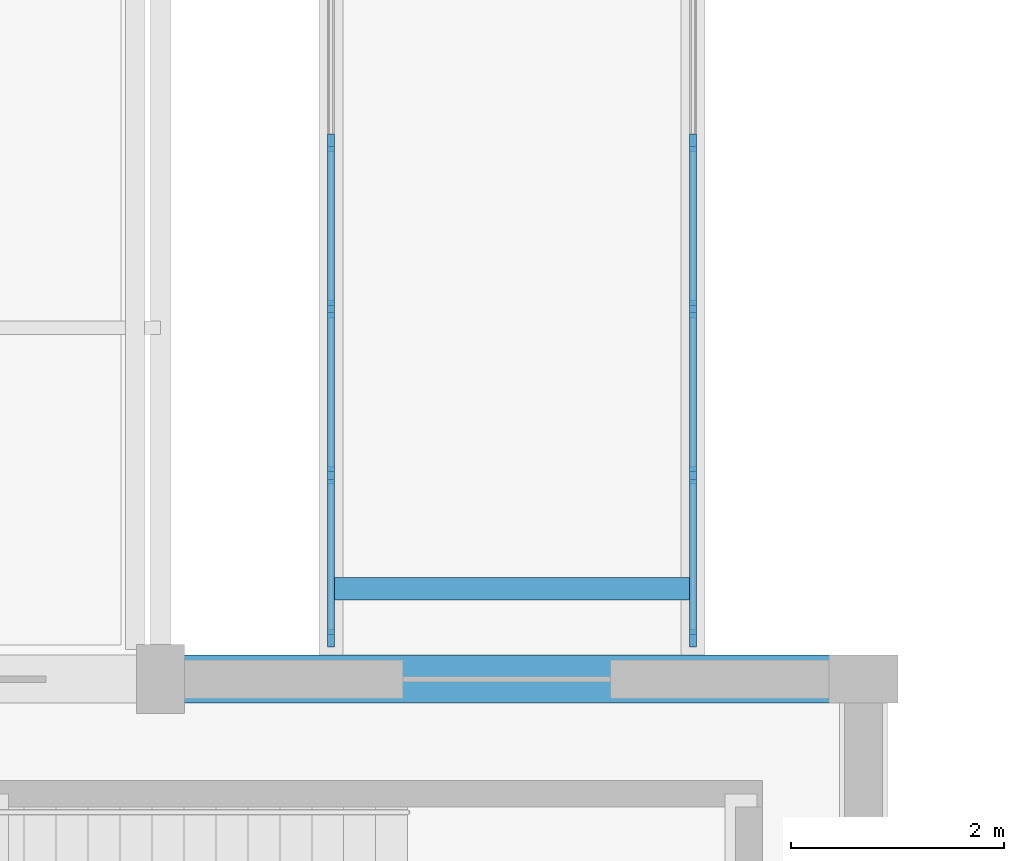
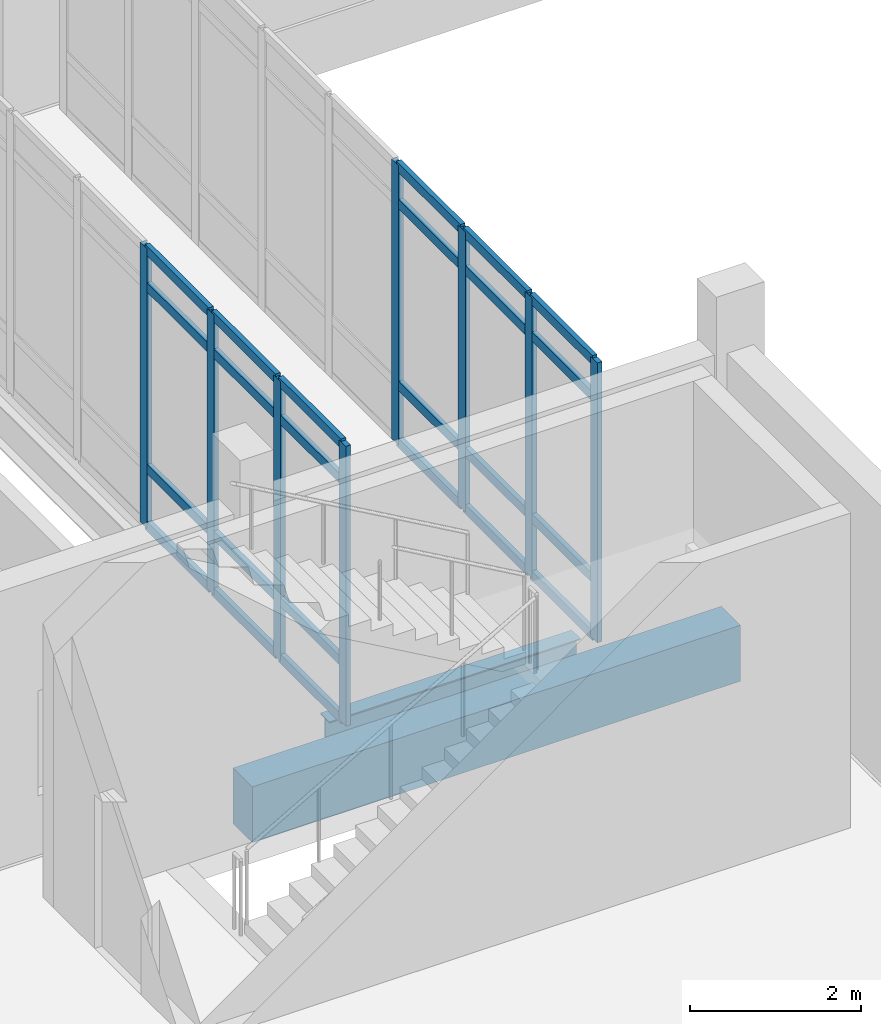
# One storey, part 16 of 125: 32 members, 2 beams, 2 elements without a shape of their own.
"""IFC4 building model written with IfcOpenShell, lengths in metres."""

from ifc_helpers import new_model, si_unit, direction, frame, origin, origin_2d, place, context, subcontext, project, spatial, rectangle, i_section, extrude, material, material_profile, profile_set, type_object, element, aggregate, save


model = new_model("IFC4")

# Units and contexts
model_context = context("Model", 3, precision=1e-05, world=origin(), true_north=direction((0.0, 1.0)))
body_context = subcontext(model_context, "Body", "Model", "MODEL_VIEW")
ifc_project = project(units=[si_unit("LENGTHUNIT", "METRE"), si_unit("AREAUNIT", "SQUARE_METRE"), si_unit("VOLUMEUNIT", "CUBIC_METRE"), si_unit("PLANEANGLEUNIT", "RADIAN"), si_unit("MASSUNIT", "GRAM", prefix="KILO")], contexts=[model_context])

# Site, building, storey
site_placement = place(None, origin())
site = spatial("IfcSite", under=ifc_project, at=site_placement, CompositionType="ELEMENT")
building_placement = place(site_placement, origin())
building = spatial("IfcBuilding", under=site, at=building_placement, Name="Dornvale Research Institute", CompositionType="ELEMENT")
storey_placement = place(building_placement, frame((0.0, 0.0, 5.39990234375)))
storey = spatial("IfcBuildingStorey", under=building, at=storey_placement, Name="L01", CompositionType="ELEMENT", Elevation=5.39990234375)

# Beam
ifc_material_1 = material(Name="Steel ASTM A992 Grade 50", Category="steel")
ifc_material_profile_1 = material_profile(ifc_material_1, i_section(OverallWidth=0.2099609375, OverallDepth=0.535888671875, WebThickness=0.010986328125, FlangeThickness=0.017333984375, at=origin_2d()), Name="W21X68")
ifc_profile_set_1 = profile_set([ifc_material_profile_1], Name="Steel ASTM A992 Grade 50")
beam_type_1 = type_object("IfcBeamType", Name="Beam_Steel_W21X68", PredefinedType="BEAM", material=ifc_profile_set_1)
beam_1_placement = place(storey_placement, frame((41.199951171875, 27.25, -0.48779296875), z_axis=(1.0, 0.0, 0.0), x_axis=(0.0, 1.0, 0.0)))
element("IfcBeam", 1, at=beam_1_placement, inside=storey, type_object=beam_type_1, Name="L01 BR-1 south cross beam #2009", PredefinedType="BEAM", context=body_context, shape_type="SweptSolid", body=[
    extrude(i_section(OverallWidth=0.2099609375, OverallDepth=0.535888671875, WebThickness=0.010986328125, FlangeThickness=0.017333984375, at=origin_2d()), origin(), (0.0, 0.0, 1.0), 3.400146484375),
])

# Curtain wall, members
ifc_material_2 = material(Name="Low-E Argon Double Insulating Glazing Unit", Category="glass")
curtain_wall_type = type_object("IfcCurtainWallType", Name="UnitisedCurtainWall_V2_12500x4000", PredefinedType="USERDEFINED", material=ifc_material_2)
curtain_wall_1_placement = place(storey_placement, origin())
curtain_wall_1 = element("IfcCurtainWall", 2, at=curtain_wall_1_placement, inside=storey, type_object=curtain_wall_type, Name="L01 V2 unitised curtain wall CW-39 #203", ObjectType="UNITISED CURTAIN WALL", PredefinedType="USERDEFINED")
ifc_material_3 = material(Name="Anodized Aluminum AA 6063-T6 Thermally Broken Frame", Category="aluminium")
ifc_material_profile_2 = material_profile(ifc_material_3, rectangle(XDim=0.06494140625, YDim=0.1650390625, at=origin_2d()), Name="ALU MULLION 65x165")
ifc_profile_set_2 = profile_set([ifc_material_profile_2], Name="Anodized Aluminum AA 6063-T6 Thermally Broken Frame")
member_type_1 = type_object("IfcMemberType", Name="Mullion_Atrium_65x165", PredefinedType="MULLION", material=ifc_profile_set_2)
member_1_placement = place(storey_placement, frame((41.199951171875, 26.782470703125, 0.0), z_axis=(0.0, 0.0, 1.0), x_axis=(-1.0, 0.0, 0.0)))
member_1 = element("IfcMember", 3, at=member_1_placement, type_object=member_type_1, Name="CW-39 mullion 1", PredefinedType="MULLION", context=body_context, shape_type="SweptSolid", body=[
    extrude(rectangle(XDim=0.06494140625, YDim=0.1650390625, at=origin_2d()), origin(), (0.0, 0.0, 1.0), 4.0),
])
member_2_placement = place(storey_placement, frame((41.199951171875, 28.3125, 0.0), z_axis=(0.0, 0.0, 1.0), x_axis=(-1.0, 0.0, 0.0)))
member_2 = element("IfcMember", 4, at=member_2_placement, type_object=member_type_1, Name="CW-39 mullion 2", PredefinedType="MULLION", context=body_context, shape_type="SweptSolid", body=[
    extrude(rectangle(XDim=0.06494140625, YDim=0.1650390625, at=origin_2d()), origin(), (0.0, 0.0, 1.0), 4.0),
])
member_3_placement = place(storey_placement, frame((41.199951171875, 29.875, 0.0), z_axis=(0.0, 0.0, 1.0), x_axis=(-1.0, 0.0, 0.0)))
member_3 = element("IfcMember", 5, at=member_3_placement, type_object=member_type_1, Name="CW-39 mullion 3", PredefinedType="MULLION", context=body_context, shape_type="SweptSolid", body=[
    extrude(rectangle(XDim=0.06494140625, YDim=0.1650390625, at=origin_2d()), origin(), (0.0, 0.0, 1.0), 4.0),
])
member_4_placement = place(storey_placement, frame((41.199951171875, 31.4375, 0.0), z_axis=(0.0, 0.0, 1.0), x_axis=(-1.0, 0.0, 0.0)))
member_4 = element("IfcMember", 6, at=member_4_placement, type_object=member_type_1, Name="CW-39 mullion 4", PredefinedType="MULLION", context=body_context, shape_type="SweptSolid", body=[
    extrude(rectangle(XDim=0.06494140625, YDim=0.1650390625, at=origin_2d()), origin(), (0.0, 0.0, 1.0), 4.0),
])

curtain_wall_2_placement = place(storey_placement, origin())
curtain_wall_2 = element("IfcCurtainWall", 7, at=curtain_wall_2_placement, inside=storey, type_object=curtain_wall_type, Name="L01 V2 unitised curtain wall CW-39 #204", ObjectType="UNITISED CURTAIN WALL", PredefinedType="USERDEFINED")
member_5_placement = place(storey_placement, frame((44.60009765625, 31.4375, 0.0), z_axis=(0.0, 0.0, 1.0), x_axis=(1.0, 0.0, 0.0)))
member_5 = element("IfcMember", 8, at=member_5_placement, type_object=member_type_1, Name="CW-39 mullion 6", PredefinedType="MULLION", context=body_context, shape_type="SweptSolid", body=[
    extrude(rectangle(XDim=0.06494140625, YDim=0.1650390625, at=origin_2d()), origin(), (0.0, 0.0, 1.0), 4.0),
])
member_6_placement = place(storey_placement, frame((44.60009765625, 29.875, 0.0), z_axis=(0.0, 0.0, 1.0), x_axis=(1.0, 0.0, 0.0)))
member_6 = element("IfcMember", 9, at=member_6_placement, type_object=member_type_1, Name="CW-39 mullion 7", PredefinedType="MULLION", context=body_context, shape_type="SweptSolid", body=[
    extrude(rectangle(XDim=0.06494140625, YDim=0.1650390625, at=origin_2d()), origin(), (0.0, 0.0, 1.0), 4.0),
])
member_7_placement = place(storey_placement, frame((44.60009765625, 28.3125, 0.0), z_axis=(0.0, 0.0, 1.0), x_axis=(1.0, 0.0, 0.0)))
member_7 = element("IfcMember", 10, at=member_7_placement, type_object=member_type_1, Name="CW-39 mullion 8", PredefinedType="MULLION", context=body_context, shape_type="SweptSolid", body=[
    extrude(rectangle(XDim=0.06494140625, YDim=0.1650390625, at=origin_2d()), origin(), (0.0, 0.0, 1.0), 4.0),
])
member_8_placement = place(storey_placement, frame((44.60009765625, 26.782470703125, 0.0), z_axis=(0.0, 0.0, 1.0), x_axis=(1.0, 0.0, 0.0)))
member_8 = element("IfcMember", 11, at=member_8_placement, type_object=member_type_1, Name="CW-39 mullion 9", PredefinedType="MULLION", context=body_context, shape_type="SweptSolid", body=[
    extrude(rectangle(XDim=0.06494140625, YDim=0.1650390625, at=origin_2d()), origin(), (0.0, 0.0, 1.0), 4.0),
])

# Beam
ifc_material_4 = material(Name="Concrete f'c 45 MPa (C35/45)", Category="concrete")
ifc_material_profile_3 = material_profile(ifc_material_4, rectangle(XDim=0.449951171875, YDim=0.800048828125, at=origin_2d()), Name="RC 450x800")
ifc_profile_set_3 = profile_set([ifc_material_profile_3], Name="Concrete f'c 45 MPa (C35/45)")
beam_type_2 = type_object("IfcBeamType", Name="Spandrel_RC450x800_Ext", PredefinedType="SPANDREL", material=ifc_profile_set_3)
beam_2_placement = place(storey_placement, frame((39.60009765625, 26.39990234375, -0.39990234375), z_axis=(1.0, 0.0, 0.0), x_axis=(0.0, 1.0, 0.0)))
element("IfcBeam", 12, at=beam_2_placement, inside=storey, type_object=beam_type_2, Name="L01 perimeter spandrel #565", PredefinedType="SPANDREL", context=body_context, shape_type="SweptSolid", body=[
    extrude(rectangle(XDim=0.449951171875, YDim=0.800048828125, at=origin_2d()), origin(), (0.0, 0.0, 1.0), 6.599853515625),
])

# Member
ifc_material_5 = material(Name="Anodized Aluminum AA 6063-T6 Thermally Broken Frame", Category="aluminium")
ifc_material_profile_4 = material_profile(ifc_material_5, rectangle(XDim=0.06494140625, YDim=0.135009765625, at=origin_2d()), Name="ALU TRANSOM 65x135")
ifc_profile_set_4 = profile_set([ifc_material_profile_4], Name="Anodized Aluminum AA 6063-T6 Thermally Broken Frame")
member_type_2 = type_object("IfcMemberType", Name="Transom_CW_65x135", PredefinedType="USERDEFINED", material=ifc_profile_set_4)
member_9_placement = place(storey_placement, frame((41.199951171875, 26.81494140625, 0.03271484375), z_axis=(0.0, 1.0, 0.0), x_axis=(-1.0, 0.0, 0.0)))
member_9 = element("IfcMember", 13, at=member_9_placement, type_object=member_type_2, Name="CW-39 transom 1.1", ObjectType="TRANSOM", PredefinedType="USERDEFINED", context=body_context, shape_type="SweptSolid", body=[
    extrude(rectangle(XDim=0.06494140625, YDim=0.135009765625, at=origin_2d()), origin(), (0.0, 0.0, 1.0), 1.465087890625),
])

member_10_placement = place(storey_placement, frame((41.199951171875, 26.81494140625, 0.85009765625), z_axis=(0.0, 1.0, 0.0), x_axis=(-1.0, 0.0, 0.0)))
member_10 = element("IfcMember", 14, at=member_10_placement, type_object=member_type_2, Name="CW-39 transom 1.2", ObjectType="TRANSOM", PredefinedType="USERDEFINED", context=body_context, shape_type="SweptSolid", body=[
    extrude(rectangle(XDim=0.06494140625, YDim=0.135009765625, at=origin_2d()), origin(), (0.0, 0.0, 1.0), 1.465087890625),
])

member_11_placement = place(storey_placement, frame((41.199951171875, 26.81494140625, 3.4501953125), z_axis=(0.0, 1.0, 0.0), x_axis=(-1.0, 0.0, 0.0)))
member_11 = element("IfcMember", 15, at=member_11_placement, type_object=member_type_2, Name="CW-39 transom 1.3", ObjectType="TRANSOM", PredefinedType="USERDEFINED", context=body_context, shape_type="SweptSolid", body=[
    extrude(rectangle(XDim=0.06494140625, YDim=0.135009765625, at=origin_2d()), origin(), (0.0, 0.0, 1.0), 1.465087890625),
])

member_12_placement = place(storey_placement, frame((41.199951171875, 26.81494140625, 3.967529296875), z_axis=(0.0, 1.0, 0.0), x_axis=(-1.0, 0.0, 0.0)))
member_12 = element("IfcMember", 16, at=member_12_placement, type_object=member_type_2, Name="CW-39 transom 1.4", ObjectType="TRANSOM", PredefinedType="USERDEFINED", context=body_context, shape_type="SweptSolid", body=[
    extrude(rectangle(XDim=0.06494140625, YDim=0.135009765625, at=origin_2d()), origin(), (0.0, 0.0, 1.0), 1.465087890625),
])

member_13_placement = place(storey_placement, frame((41.199951171875, 28.344970703125, 0.03271484375), z_axis=(0.0, 1.0, 0.0), x_axis=(-1.0, 0.0, 0.0)))
member_13 = element("IfcMember", 17, at=member_13_placement, type_object=member_type_2, Name="CW-39 transom 2.1", ObjectType="TRANSOM", PredefinedType="USERDEFINED", context=body_context, shape_type="SweptSolid", body=[
    extrude(rectangle(XDim=0.06494140625, YDim=0.135009765625, at=origin_2d()), origin(), (0.0, 0.0, 1.0), 1.49755859375),
])

member_14_placement = place(storey_placement, frame((41.199951171875, 28.344970703125, 0.85009765625), z_axis=(0.0, 1.0, 0.0), x_axis=(-1.0, 0.0, 0.0)))
member_14 = element("IfcMember", 18, at=member_14_placement, type_object=member_type_2, Name="CW-39 transom 2.2", ObjectType="TRANSOM", PredefinedType="USERDEFINED", context=body_context, shape_type="SweptSolid", body=[
    extrude(rectangle(XDim=0.06494140625, YDim=0.135009765625, at=origin_2d()), origin(), (0.0, 0.0, 1.0), 1.49755859375),
])

member_15_placement = place(storey_placement, frame((41.199951171875, 28.344970703125, 3.4501953125), z_axis=(0.0, 1.0, 0.0), x_axis=(-1.0, 0.0, 0.0)))
member_15 = element("IfcMember", 19, at=member_15_placement, type_object=member_type_2, Name="CW-39 transom 2.3", ObjectType="TRANSOM", PredefinedType="USERDEFINED", context=body_context, shape_type="SweptSolid", body=[
    extrude(rectangle(XDim=0.06494140625, YDim=0.135009765625, at=origin_2d()), origin(), (0.0, 0.0, 1.0), 1.49755859375),
])

member_16_placement = place(storey_placement, frame((41.199951171875, 28.344970703125, 3.967529296875), z_axis=(0.0, 1.0, 0.0), x_axis=(-1.0, 0.0, 0.0)))
member_16 = element("IfcMember", 20, at=member_16_placement, type_object=member_type_2, Name="CW-39 transom 2.4", ObjectType="TRANSOM", PredefinedType="USERDEFINED", context=body_context, shape_type="SweptSolid", body=[
    extrude(rectangle(XDim=0.06494140625, YDim=0.135009765625, at=origin_2d()), origin(), (0.0, 0.0, 1.0), 1.49755859375),
])

member_17_placement = place(storey_placement, frame((41.199951171875, 29.907470703125, 0.03271484375), z_axis=(0.0, 1.0, 0.0), x_axis=(-1.0, 0.0, 0.0)))
member_17 = element("IfcMember", 21, at=member_17_placement, type_object=member_type_2, Name="CW-39 transom 3.1", ObjectType="TRANSOM", PredefinedType="USERDEFINED", context=body_context, shape_type="SweptSolid", body=[
    extrude(rectangle(XDim=0.06494140625, YDim=0.135009765625, at=origin_2d()), origin(), (0.0, 0.0, 1.0), 1.49755859375),
])

member_18_placement = place(storey_placement, frame((41.199951171875, 29.907470703125, 0.85009765625), z_axis=(0.0, 1.0, 0.0), x_axis=(-1.0, 0.0, 0.0)))
member_18 = element("IfcMember", 22, at=member_18_placement, type_object=member_type_2, Name="CW-39 transom 3.2", ObjectType="TRANSOM", PredefinedType="USERDEFINED", context=body_context, shape_type="SweptSolid", body=[
    extrude(rectangle(XDim=0.06494140625, YDim=0.135009765625, at=origin_2d()), origin(), (0.0, 0.0, 1.0), 1.49755859375),
])

member_19_placement = place(storey_placement, frame((41.199951171875, 29.907470703125, 3.4501953125), z_axis=(0.0, 1.0, 0.0), x_axis=(-1.0, 0.0, 0.0)))
member_19 = element("IfcMember", 23, at=member_19_placement, type_object=member_type_2, Name="CW-39 transom 3.3", ObjectType="TRANSOM", PredefinedType="USERDEFINED", context=body_context, shape_type="SweptSolid", body=[
    extrude(rectangle(XDim=0.06494140625, YDim=0.135009765625, at=origin_2d()), origin(), (0.0, 0.0, 1.0), 1.49755859375),
])

member_20_placement = place(storey_placement, frame((41.199951171875, 29.907470703125, 3.967529296875), z_axis=(0.0, 1.0, 0.0), x_axis=(-1.0, 0.0, 0.0)))
member_20 = element("IfcMember", 24, at=member_20_placement, type_object=member_type_2, Name="CW-39 transom 3.4", ObjectType="TRANSOM", PredefinedType="USERDEFINED", context=body_context, shape_type="SweptSolid", body=[
    extrude(rectangle(XDim=0.06494140625, YDim=0.135009765625, at=origin_2d()), origin(), (0.0, 0.0, 1.0), 1.49755859375),
])

aggregate(curtain_wall_1, [member_1, member_2, member_3, member_4, member_9, member_10, member_11, member_12, member_13, member_14, member_15, member_16, member_17, member_18, member_19, member_20])

member_21_placement = place(storey_placement, frame((44.60009765625, 31.405029296875, 0.03271484375), z_axis=(0.0, -1.0, 0.0), x_axis=(1.0, 0.0, 0.0)))
member_21 = element("IfcMember", 25, at=member_21_placement, type_object=member_type_2, Name="CW-39 transom 6.1", ObjectType="TRANSOM", PredefinedType="USERDEFINED", context=body_context, shape_type="SweptSolid", body=[
    extrude(rectangle(XDim=0.06494140625, YDim=0.135009765625, at=origin_2d()), origin(), (0.0, 0.0, 1.0), 1.49755859375),
])

member_22_placement = place(storey_placement, frame((44.60009765625, 31.405029296875, 0.85009765625), z_axis=(0.0, -1.0, 0.0), x_axis=(1.0, 0.0, 0.0)))
member_22 = element("IfcMember", 26, at=member_22_placement, type_object=member_type_2, Name="CW-39 transom 6.2", ObjectType="TRANSOM", PredefinedType="USERDEFINED", context=body_context, shape_type="SweptSolid", body=[
    extrude(rectangle(XDim=0.06494140625, YDim=0.135009765625, at=origin_2d()), origin(), (0.0, 0.0, 1.0), 1.49755859375),
])

member_23_placement = place(storey_placement, frame((44.60009765625, 31.405029296875, 3.4501953125), z_axis=(0.0, -1.0, 0.0), x_axis=(1.0, 0.0, 0.0)))
member_23 = element("IfcMember", 27, at=member_23_placement, type_object=member_type_2, Name="CW-39 transom 6.3", ObjectType="TRANSOM", PredefinedType="USERDEFINED", context=body_context, shape_type="SweptSolid", body=[
    extrude(rectangle(XDim=0.06494140625, YDim=0.135009765625, at=origin_2d()), origin(), (0.0, 0.0, 1.0), 1.49755859375),
])

member_24_placement = place(storey_placement, frame((44.60009765625, 31.405029296875, 3.967529296875), z_axis=(0.0, -1.0, 0.0), x_axis=(1.0, 0.0, 0.0)))
member_24 = element("IfcMember", 28, at=member_24_placement, type_object=member_type_2, Name="CW-39 transom 6.4", ObjectType="TRANSOM", PredefinedType="USERDEFINED", context=body_context, shape_type="SweptSolid", body=[
    extrude(rectangle(XDim=0.06494140625, YDim=0.135009765625, at=origin_2d()), origin(), (0.0, 0.0, 1.0), 1.49755859375),
])

member_25_placement = place(storey_placement, frame((44.60009765625, 29.842529296875, 0.03271484375), z_axis=(0.0, -1.0, 0.0), x_axis=(1.0, 0.0, 0.0)))
member_25 = element("IfcMember", 29, at=member_25_placement, type_object=member_type_2, Name="CW-39 transom 7.1", ObjectType="TRANSOM", PredefinedType="USERDEFINED", context=body_context, shape_type="SweptSolid", body=[
    extrude(rectangle(XDim=0.06494140625, YDim=0.135009765625, at=origin_2d()), origin(), (0.0, 0.0, 1.0), 1.49755859375),
])

member_26_placement = place(storey_placement, frame((44.60009765625, 29.842529296875, 0.85009765625), z_axis=(0.0, -1.0, 0.0), x_axis=(1.0, 0.0, 0.0)))
member_26 = element("IfcMember", 30, at=member_26_placement, type_object=member_type_2, Name="CW-39 transom 7.2", ObjectType="TRANSOM", PredefinedType="USERDEFINED", context=body_context, shape_type="SweptSolid", body=[
    extrude(rectangle(XDim=0.06494140625, YDim=0.135009765625, at=origin_2d()), origin(), (0.0, 0.0, 1.0), 1.49755859375),
])

member_27_placement = place(storey_placement, frame((44.60009765625, 29.842529296875, 3.4501953125), z_axis=(0.0, -1.0, 0.0), x_axis=(1.0, 0.0, 0.0)))
member_27 = element("IfcMember", 31, at=member_27_placement, type_object=member_type_2, Name="CW-39 transom 7.3", ObjectType="TRANSOM", PredefinedType="USERDEFINED", context=body_context, shape_type="SweptSolid", body=[
    extrude(rectangle(XDim=0.06494140625, YDim=0.135009765625, at=origin_2d()), origin(), (0.0, 0.0, 1.0), 1.49755859375),
])

member_28_placement = place(storey_placement, frame((44.60009765625, 29.842529296875, 3.967529296875), z_axis=(0.0, -1.0, 0.0), x_axis=(1.0, 0.0, 0.0)))
member_28 = element("IfcMember", 32, at=member_28_placement, type_object=member_type_2, Name="CW-39 transom 7.4", ObjectType="TRANSOM", PredefinedType="USERDEFINED", context=body_context, shape_type="SweptSolid", body=[
    extrude(rectangle(XDim=0.06494140625, YDim=0.135009765625, at=origin_2d()), origin(), (0.0, 0.0, 1.0), 1.49755859375),
])

member_29_placement = place(storey_placement, frame((44.60009765625, 28.280029296875, 0.03271484375), z_axis=(0.0, -1.0, 0.0), x_axis=(1.0, 0.0, 0.0)))
member_29 = element("IfcMember", 33, at=member_29_placement, type_object=member_type_2, Name="CW-39 transom 8.1", ObjectType="TRANSOM", PredefinedType="USERDEFINED", context=body_context, shape_type="SweptSolid", body=[
    extrude(rectangle(XDim=0.06494140625, YDim=0.135009765625, at=origin_2d()), origin(), (0.0, 0.0, 1.0), 1.465087890625),
])

member_30_placement = place(storey_placement, frame((44.60009765625, 28.280029296875, 0.85009765625), z_axis=(0.0, -1.0, 0.0), x_axis=(1.0, 0.0, 0.0)))
member_30 = element("IfcMember", 34, at=member_30_placement, type_object=member_type_2, Name="CW-39 transom 8.2", ObjectType="TRANSOM", PredefinedType="USERDEFINED", context=body_context, shape_type="SweptSolid", body=[
    extrude(rectangle(XDim=0.06494140625, YDim=0.135009765625, at=origin_2d()), origin(), (0.0, 0.0, 1.0), 1.465087890625),
])

member_31_placement = place(storey_placement, frame((44.60009765625, 28.280029296875, 3.4501953125), z_axis=(0.0, -1.0, 0.0), x_axis=(1.0, 0.0, 0.0)))
member_31 = element("IfcMember", 35, at=member_31_placement, type_object=member_type_2, Name="CW-39 transom 8.3", ObjectType="TRANSOM", PredefinedType="USERDEFINED", context=body_context, shape_type="SweptSolid", body=[
    extrude(rectangle(XDim=0.06494140625, YDim=0.135009765625, at=origin_2d()), origin(), (0.0, 0.0, 1.0), 1.465087890625),
])

member_32_placement = place(storey_placement, frame((44.60009765625, 28.280029296875, 3.967529296875), z_axis=(0.0, -1.0, 0.0), x_axis=(1.0, 0.0, 0.0)))
member_32 = element("IfcMember", 36, at=member_32_placement, type_object=member_type_2, Name="CW-39 transom 8.4", ObjectType="TRANSOM", PredefinedType="USERDEFINED", context=body_context, shape_type="SweptSolid", body=[
    extrude(rectangle(XDim=0.06494140625, YDim=0.135009765625, at=origin_2d()), origin(), (0.0, 0.0, 1.0), 1.465087890625),
])

aggregate(curtain_wall_2, [member_5, member_6, member_7, member_8, member_21, member_22, member_23, member_24, member_25, member_26, member_27, member_28, member_29, member_30, member_31, member_32])

save(model, "model.ifc")
